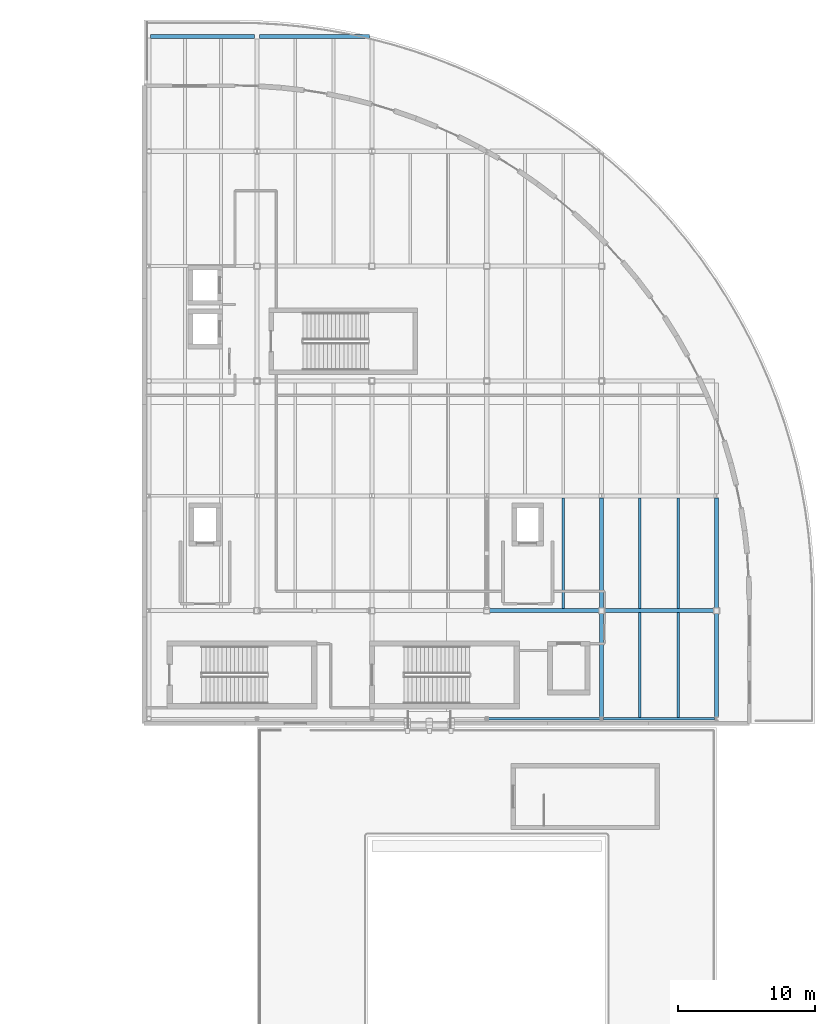
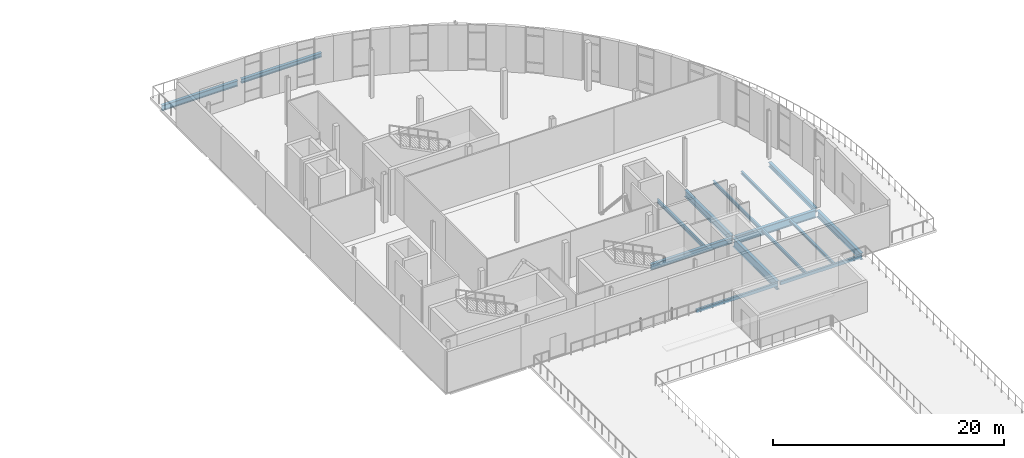
# One storey, part 22 of 57: 15 beams.
"""IFC4 building model written with IfcOpenShell, lengths in metres."""

from ifc_helpers import new_model, si_unit, direction, frame, origin, origin_2d, place, context, subcontext, project, spatial, hollow_rectangle, i_section, extrude, material, material_profile, profile_set, type_object, element, save


model = new_model("IFC4")

# Units and contexts
model_context = context("Model", 3, precision=1e-05, world=origin(), true_north=direction((0.0, 1.0)))
body_context = subcontext(model_context, "Body", "Model", "MODEL_VIEW")
ifc_project = project(units=[si_unit("LENGTHUNIT", "METRE"), si_unit("AREAUNIT", "SQUARE_METRE"), si_unit("VOLUMEUNIT", "CUBIC_METRE"), si_unit("PLANEANGLEUNIT", "RADIAN"), si_unit("MASSUNIT", "GRAM", prefix="KILO"), si_unit("THERMODYNAMICTEMPERATUREUNIT", "KELVIN")], contexts=[model_context])

# Site, building, storey
site_placement = place(None, origin())
site = spatial("IfcSite", under=ifc_project, at=site_placement, CompositionType="ELEMENT")
building_placement = place(site_placement, origin())
building = spatial("IfcBuilding", under=site, at=building_placement, Name="Lustrewick Department Store", CompositionType="ELEMENT")
storey_placement = place(building_placement, frame((0.0, 0.0, 26.699951171875)))
storey = spatial("IfcBuildingStorey", under=building, at=storey_placement, Name="L06", CompositionType="ELEMENT", Elevation=26.699951171875)

# Beams
ifc_material_1 = material(Name="Structural steel Q355B", Category="steel")
ifc_material_profile_1 = material_profile(ifc_material_1, i_section(OverallWidth=0.199951171875, OverallDepth=0.39990234375, WebThickness=0.008056640625, FlangeThickness=0.012939453125, FilletRadius=0.013916015625, at=origin_2d()), Name="HN 400x200x8x13")
ifc_profile_set_1 = profile_set([ifc_material_profile_1], Name="Structural steel Q355B")
beam_type_1 = type_object("IfcBeamType", Name="B05", PredefinedType="JOIST", material=ifc_profile_set_1)
beam_1_placement = place(storey_placement, frame((140.0, 58.949951171875, -0.454833984375), z_axis=(0.0, 1.0, 0.0), x_axis=(-1.0, 0.0, 0.0)))
element("IfcBeam", 1, at=beam_1_placement, inside=storey, type_object=beam_type_1, Name="L06 V4 Secondary Joist B05", PredefinedType="JOIST", context=body_context, shape_type="SweptSolid", body=[
    extrude(i_section(OverallWidth=0.199951171875, OverallDepth=0.39990234375, WebThickness=0.008056640625, FlangeThickness=0.012939453125, FilletRadius=0.013916015625, at=origin_2d()), origin(), (0.0, 0.0, 1.0), 8.09912109375),
])
ifc_material_profile_2 = material_profile(ifc_material_1, i_section(OverallWidth=0.174072265625, OverallDepth=0.345947265625, WebThickness=0.006103515625, FlangeThickness=0.009033203125, FilletRadius=0.012939453125, at=origin_2d()), Name="HN 346x174x6x9")
ifc_profile_set_2 = profile_set([ifc_material_profile_2], Name="Structural steel Q355B")
beam_type_2 = type_object("IfcBeamType", Name="B10", PredefinedType="JOIST", material=ifc_profile_set_2)
beam_2_placement = place(storey_placement, frame((145.60009765625, 51.0, -0.427978515625), z_axis=(0.0, 1.0, 0.0), x_axis=(-1.0, 0.0, 0.0)))
element("IfcBeam", 2, at=beam_2_placement, inside=storey, type_object=beam_type_2, Name="L06 V4 Secondary Joist B10", PredefinedType="JOIST", context=body_context, shape_type="SweptSolid", body=[
    extrude(i_section(OverallWidth=0.174072265625, OverallDepth=0.345947265625, WebThickness=0.006103515625, FlangeThickness=0.009033203125, FilletRadius=0.012939453125, at=origin_2d()), origin(), (0.0, 0.0, 1.0), 7.64892578125),
])
beam_3_placement = place(storey_placement, frame((145.60009765625, 58.950927734375, -0.427978515625), z_axis=(0.0, 1.0, 0.0), x_axis=(-1.0, 0.0, 0.0)))
element("IfcBeam", 3, at=beam_3_placement, inside=storey, type_object=beam_type_2, Name="L06 V4 Secondary Joist B10", PredefinedType="JOIST", context=body_context, shape_type="SweptSolid", body=[
    extrude(i_section(OverallWidth=0.174072265625, OverallDepth=0.345947265625, WebThickness=0.006103515625, FlangeThickness=0.009033203125, FilletRadius=0.012939453125, at=origin_2d()), origin(), (0.0, 0.0, 1.0), 8.09912109375),
])
ifc_material_profile_3 = material_profile(ifc_material_1, i_section(OverallWidth=0.199951171875, OverallDepth=0.2939453125, WebThickness=0.008056640625, FlangeThickness=0.011962890625, FilletRadius=0.013916015625, at=origin_2d()), Name="HM 294x200x8x12")
ifc_profile_set_3 = profile_set([ifc_material_profile_3], Name="Structural steel Q355B")
beam_type_3 = type_object("IfcBeamType", Name="B13", PredefinedType="JOIST", material=ifc_profile_set_3)
beam_4_placement = place(storey_placement, frame((148.39990234375, 51.0, -0.40185546875), z_axis=(0.0, 1.0, 0.0), x_axis=(-1.0, 0.0, 0.0)))
element("IfcBeam", 4, at=beam_4_placement, inside=storey, type_object=beam_type_3, Name="L06 V4 Secondary Joist B13", PredefinedType="JOIST", context=body_context, shape_type="SweptSolid", body=[
    extrude(i_section(OverallWidth=0.199951171875, OverallDepth=0.2939453125, WebThickness=0.008056640625, FlangeThickness=0.011962890625, FilletRadius=0.013916015625, at=origin_2d()), origin(), (0.0, 0.0, 1.0), 7.64892578125),
])
beam_5_placement = place(storey_placement, frame((148.39990234375, 58.950927734375, -0.40185546875), z_axis=(0.0, 1.0, 0.0), x_axis=(-1.0, 0.0, 0.0)))
element("IfcBeam", 5, at=beam_5_placement, inside=storey, type_object=beam_type_3, Name="L06 V4 Secondary Joist B13", PredefinedType="JOIST", context=body_context, shape_type="SweptSolid", body=[
    extrude(i_section(OverallWidth=0.199951171875, OverallDepth=0.2939453125, WebThickness=0.008056640625, FlangeThickness=0.011962890625, FilletRadius=0.013916015625, at=origin_2d()), origin(), (0.0, 0.0, 1.0), 8.09912109375),
])
ifc_material_2 = material(Name="Structural steel Q355C", Category="steel")
ifc_material_profile_4 = material_profile(ifc_material_2, i_section(OverallWidth=0.302001953125, OverallDepth=0.912109375, WebThickness=0.01806640625, FlangeThickness=0.033935546875, FilletRadius=0.02392578125, at=origin_2d()), Name="HN 912x302x18x34")
ifc_profile_set_4 = profile_set([ifc_material_profile_4], Name="Structural steel Q355C")
beam_type_4 = type_object("IfcBeamType", Name="G01", PredefinedType="BEAM", material=ifc_profile_set_4)
beam_6_placement = place(storey_placement, frame((142.800048828125, 51.02490234375, -0.7109375), z_axis=(0.0, 1.0, 0.0), x_axis=(-1.0, 0.0, 0.0)))
element("IfcBeam", 6, at=beam_6_placement, inside=storey, type_object=beam_type_4, Name="L06 V4 Girder G01", PredefinedType="BEAM", context=body_context, shape_type="SweptSolid", body=[
    extrude(i_section(OverallWidth=0.302001953125, OverallDepth=0.912109375, WebThickness=0.01806640625, FlangeThickness=0.033935546875, FilletRadius=0.02392578125, at=origin_2d()), origin(), (0.0, 0.0, 1.0), 7.625),
])
ifc_material_profile_5 = material_profile(ifc_material_2, i_section(OverallWidth=0.302001953125, OverallDepth=0.80810546875, WebThickness=0.01611328125, FlangeThickness=0.030029296875, FilletRadius=0.02197265625, at=origin_2d()), Name="HN 808x302x16x30")
ifc_profile_set_5 = profile_set([ifc_material_profile_5], Name="Structural steel Q355C")
beam_type_5 = type_object("IfcBeamType", Name="G04", PredefinedType="BEAM", material=ifc_profile_set_5)
beam_7_placement = place(storey_placement, frame((142.949951171875, 58.800048828125, -0.658935546875), z_axis=(1.0, 0.0, 0.0), x_axis=(0.0, 1.0, 0.0)))
element("IfcBeam", 7, at=beam_7_placement, inside=storey, type_object=beam_type_5, Name="L06 V4 Girder G04", PredefinedType="BEAM", context=body_context, shape_type="SweptSolid", body=[
    extrude(i_section(OverallWidth=0.302001953125, OverallDepth=0.80810546875, WebThickness=0.01611328125, FlangeThickness=0.030029296875, FilletRadius=0.02197265625, at=origin_2d()), origin(), (0.0, 0.0, 1.0), 8.10009765625),
])
ifc_material_profile_6 = material_profile(ifc_material_1, i_section(OverallWidth=0.300048828125, OverallDepth=0.69189453125, WebThickness=0.012939453125, FlangeThickness=0.02001953125, FilletRadius=0.02001953125, at=origin_2d()), Name="HN 692x300x13x20")
ifc_profile_set_6 = profile_set([ifc_material_profile_6], Name="Structural steel Q355B")
beam_type_6 = type_object("IfcBeamType", Name="G09", PredefinedType="BEAM", material=ifc_profile_set_6)
beam_8_placement = place(storey_placement, frame((142.800048828125, 58.949951171875, -0.600830078125), z_axis=(0.0, 1.0, 0.0), x_axis=(-1.0, 0.0, 0.0)))
element("IfcBeam", 8, at=beam_8_placement, inside=storey, type_object=beam_type_6, Name="L06 V4 Girder G09", PredefinedType="BEAM", context=body_context, shape_type="SweptSolid", body=[
    extrude(i_section(OverallWidth=0.300048828125, OverallDepth=0.69189453125, WebThickness=0.012939453125, FlangeThickness=0.02001953125, FilletRadius=0.02001953125, at=origin_2d()), origin(), (0.0, 0.0, 1.0), 8.078125),
])
beam_9_placement = place(storey_placement, frame((151.199951171875, 51.02490234375, -0.600830078125), z_axis=(0.0, 1.0, 0.0), x_axis=(-1.0, 0.0, 0.0)))
element("IfcBeam", 9, at=beam_9_placement, inside=storey, type_object=beam_type_6, Name="L06 V4 Girder G09", PredefinedType="BEAM", context=body_context, shape_type="SweptSolid", body=[
    extrude(i_section(OverallWidth=0.300048828125, OverallDepth=0.69189453125, WebThickness=0.012939453125, FlangeThickness=0.02001953125, FilletRadius=0.02001953125, at=origin_2d()), origin(), (0.0, 0.0, 1.0), 7.625),
])
ifc_material_profile_7 = material_profile(ifc_material_1, i_section(OverallWidth=0.300048828125, OverallDepth=0.58203125, WebThickness=0.011962890625, FlangeThickness=0.01708984375, FilletRadius=0.02392578125, at=origin_2d()), Name="HM 582x300x12x17")
ifc_profile_set_7 = profile_set([ifc_material_profile_7], Name="Structural steel Q355B")
beam_type_7 = type_object("IfcBeamType", Name="G12", PredefinedType="BEAM", material=ifc_profile_set_7)
beam_10_placement = place(storey_placement, frame((134.550048828125, 58.800048828125, -0.5458984375), z_axis=(1.0, 0.0, 0.0), x_axis=(0.0, 1.0, 0.0)))
element("IfcBeam", 10, at=beam_10_placement, inside=storey, type_object=beam_type_7, Name="L06 V4 Girder G12", PredefinedType="BEAM", context=body_context, shape_type="SweptSolid", body=[
    extrude(i_section(OverallWidth=0.300048828125, OverallDepth=0.58203125, WebThickness=0.011962890625, FlangeThickness=0.01708984375, FilletRadius=0.02392578125, at=origin_2d()), origin(), (0.0, 0.0, 1.0), 8.099853515625),
])
beam_11_placement = place(storey_placement, frame((109.824951171875, 100.800048828125, -0.5458984375), z_axis=(1.0, 0.0, 0.0), x_axis=(0.0, 1.0, 0.0)))
element("IfcBeam", 11, at=beam_11_placement, inside=storey, type_object=beam_type_7, Name="L06 V4 Girder G12", PredefinedType="BEAM", context=body_context, shape_type="SweptSolid", body=[
    extrude(i_section(OverallWidth=0.300048828125, OverallDepth=0.58203125, WebThickness=0.011962890625, FlangeThickness=0.01708984375, FilletRadius=0.02392578125, at=origin_2d()), origin(), (0.0, 0.0, 1.0), 7.60107421875),
])
ifc_material_profile_8 = material_profile(ifc_material_1, i_section(OverallWidth=0.300048828125, OverallDepth=0.48193359375, WebThickness=0.010986328125, FlangeThickness=0.014892578125, FilletRadius=0.02197265625, at=origin_2d()), Name="HM 482x300x11x15")
ifc_profile_set_8 = profile_set([ifc_material_profile_8], Name="Structural steel Q355B")
beam_type_8 = type_object("IfcBeamType", Name="G20", PredefinedType="BEAM", material=ifc_profile_set_8)
beam_12_placement = place(storey_placement, frame((151.199951171875, 58.949951171875, -0.495849609375), z_axis=(0.0, 1.0, 0.0), x_axis=(-1.0, 0.0, 0.0)))
element("IfcBeam", 12, at=beam_12_placement, inside=storey, type_object=beam_type_8, Name="L06 V4 Girder G20", PredefinedType="BEAM", context=body_context, shape_type="SweptSolid", body=[
    extrude(i_section(OverallWidth=0.300048828125, OverallDepth=0.48193359375, WebThickness=0.010986328125, FlangeThickness=0.014892578125, FilletRadius=0.02197265625, at=origin_2d()), origin(), (0.0, 0.0, 1.0), 8.078125),
])
ifc_material_profile_9 = material_profile(ifc_material_1, i_section(OverallWidth=0.300048828125, OverallDepth=0.43994140625, WebThickness=0.010986328125, FlangeThickness=0.01806640625, FilletRadius=0.02001953125, at=origin_2d()), Name="HM 440x300x11x18")
ifc_profile_set_9 = profile_set([ifc_material_profile_9], Name="Structural steel Q355B")
beam_type_9 = type_object("IfcBeamType", Name="SP02", PredefinedType="SPANDREL", material=ifc_profile_set_9)
beam_13_placement = place(storey_placement, frame((117.77392578125, 100.800048828125, -0.474853515625), z_axis=(1.0, 0.0, 0.0), x_axis=(0.0, 1.0, 0.0)))
element("IfcBeam", 13, at=beam_13_placement, inside=storey, type_object=beam_type_9, Name="L06 V4 Girder SP02", PredefinedType="SPANDREL", context=body_context, shape_type="SweptSolid", body=[
    extrude(i_section(OverallWidth=0.300048828125, OverallDepth=0.43994140625, WebThickness=0.010986328125, FlangeThickness=0.01806640625, FilletRadius=0.02001953125, at=origin_2d()), origin(), (0.0, 0.0, 1.0), 8.048095703125),
])
ifc_material_profile_10 = material_profile(ifc_material_2, hollow_rectangle(XDim=0.199951171875, YDim=0.35009765625, WallThickness=0.011962890625, at=origin_2d()), Name="RHS 350x200x12")
ifc_profile_set_10 = profile_set([ifc_material_profile_10], Name="Structural steel Q355C")
beam_type_10 = type_object("IfcBeamType", Name="SP03", PredefinedType="SPANDREL", material=ifc_profile_set_10)
beam_14_placement = place(storey_placement, frame((134.52490234375, 50.89990234375, -0.429931640625), z_axis=(1.0, 0.0, 0.0), x_axis=(0.0, 1.0, 0.0)))
element("IfcBeam", 14, at=beam_14_placement, inside=storey, type_object=beam_type_10, Name="L06 V4 Girder SP03", PredefinedType="SPANDREL", context=body_context, shape_type="SweptSolid", body=[
    extrude(hollow_rectangle(XDim=0.199951171875, YDim=0.35009765625, WallThickness=0.011962890625, at=origin_2d()), origin(), (0.0, 0.0, 1.0), 8.150146484375),
])
beam_15_placement = place(storey_placement, frame((142.925048828125, 50.89990234375, -0.429931640625), z_axis=(1.0, 0.0, 0.0), x_axis=(0.0, 1.0, 0.0)))
element("IfcBeam", 15, at=beam_15_placement, inside=storey, type_object=beam_type_10, Name="L06 V4 Girder SP03", PredefinedType="SPANDREL", context=body_context, shape_type="SweptSolid", body=[
    extrude(hollow_rectangle(XDim=0.199951171875, YDim=0.35009765625, WallThickness=0.011962890625, at=origin_2d()), origin(), (0.0, 0.0, 1.0), 8.14990234375),
])

save(model, "model.ifc")
